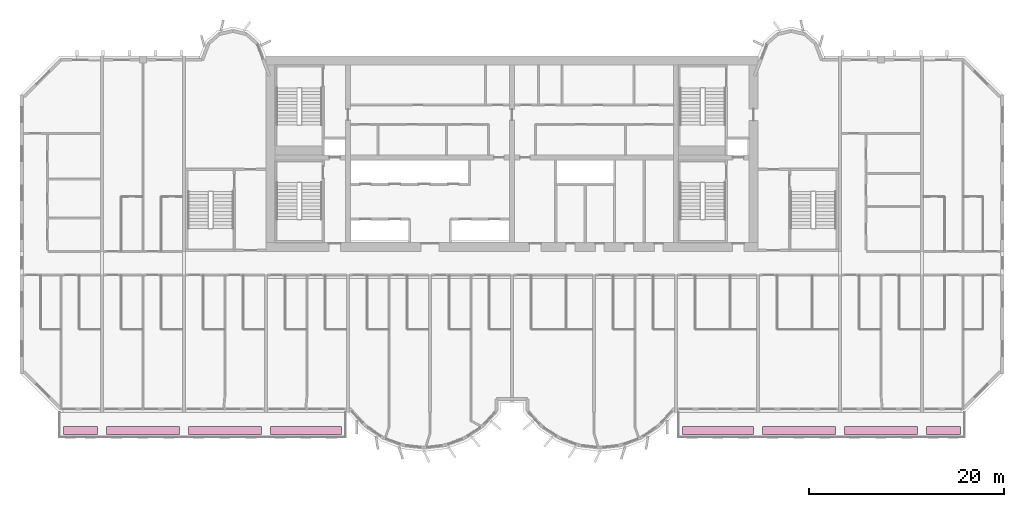
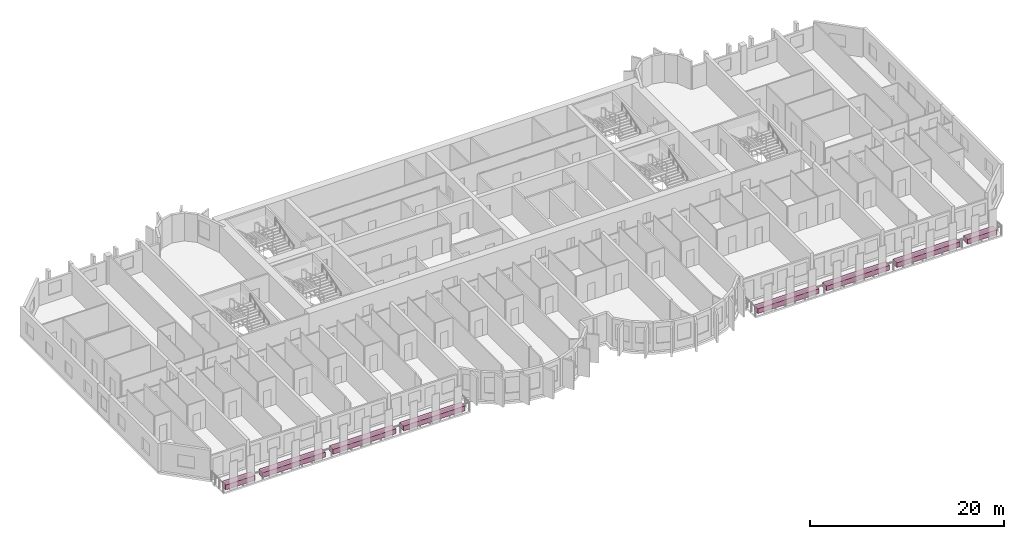
# One storey, part 15 of 15: 8 furniture elements.
"""IFC4 building model written with IfcOpenShell, lengths in metres."""

from ifc_helpers import new_model, si_unit, direction, frame, origin, origin_2d, place, context, subcontext, project, spatial, rectangle, extrude, source, transform, mapped, material, type_object, element, save


model = new_model("IFC4")

# Units and contexts
model_context = context("Model", 3, precision=1e-05, world=origin(), true_north=direction((0.0, 1.0)))
body_context = subcontext(model_context, "Body", "Model", "MODEL_VIEW")
ifc_project = project(units=[si_unit("LENGTHUNIT", "METRE"), si_unit("AREAUNIT", "SQUARE_METRE"), si_unit("VOLUMEUNIT", "CUBIC_METRE"), si_unit("PLANEANGLEUNIT", "RADIAN"), si_unit("MASSUNIT", "GRAM", prefix="KILO")], contexts=[model_context])

# Site, building, storey
site_placement = place(None, origin())
site = spatial("IfcSite", under=ifc_project, at=site_placement, CompositionType="ELEMENT")
building_placement = place(site_placement, origin())
building = spatial("IfcBuilding", under=site, at=building_placement, Name="Vanashikhar Sky Hotel", CompositionType="ELEMENT")
storey_placement = place(building_placement, frame((0.0, 0.0, 110.39990234375)))
storey = spatial("IfcBuildingStorey", under=building, at=storey_placement, Name="L26", CompositionType="ELEMENT", Elevation=110.39990234375)

# Furniture
ifc_material = material(Name="Planting soil and shrubs")
furniture_type = type_object("IfcFurnitureType", Name="Planter trough", AssemblyPlace="NOTDEFINED", PredefinedType="USERDEFINED", material=ifc_material)
shared_shape_1 = source(origin(), body_context, "Body", "SweptSolid", [
    extrude(rectangle(XDim=3.5, YDim=0.800048828125, at=origin_2d()), origin(), (0.0, 0.0, 1.0), 0.60009765625),
])
for number, where, z_axis, x_axis, name in (
    (1, (6.199951171875, 3.64990234375, -0.050048828125), (0.0, 0.0, 1.0), (1.0, 0.0, 0.0), "PLANTER with climbers"),
    (2, (94.60009765625, 3.64990234375, -0.050048828125), (0.0, 0.0, 1.0), (1.0, 0.0, 0.0), "PLANTER with climbers"),
):
    element("IfcFurniture", number, at=place(storey_placement, frame(where, z_axis=z_axis, x_axis=x_axis)), inside=storey, type_object=furniture_type, Name=name, ObjectType="PLANTER", PredefinedType="USERDEFINED", context=body_context, shape_type="MappedRepresentation", body=[
        mapped(shared_shape_1, transform((0.0, 0.0, 0.0), scale=1.0)),
    ])
shared_shape_2 = source(origin(), body_context, "Body", "SweptSolid", [
    extrude(rectangle(XDim=7.5, YDim=0.800048828125, at=origin_2d()), origin(), (0.0, 0.0, 1.0), 0.60009765625),
])
for number, where, z_axis, x_axis, name in (
    (3, (12.60009765625, 3.64990234375, -0.050048828125), (0.0, 0.0, 1.0), (1.0, 0.0, 0.0), "PLANTER with climbers"),
    (4, (21.0, 3.64990234375, -0.050048828125), (0.0, 0.0, 1.0), (1.0, 0.0, 0.0), "PLANTER with climbers"),
    (5, (79.800048828125, 3.64990234375, -0.050048828125), (0.0, 0.0, 1.0), (1.0, 0.0, 0.0), "PLANTER with climbers"),
    (6, (88.199951171875, 3.64990234375, -0.050048828125), (0.0, 0.0, 1.0), (1.0, 0.0, 0.0), "PLANTER with climbers"),
):
    element("IfcFurniture", number, at=place(storey_placement, frame(where, z_axis=z_axis, x_axis=x_axis)), inside=storey, type_object=furniture_type, Name=name, ObjectType="PLANTER", PredefinedType="USERDEFINED", context=body_context, shape_type="MappedRepresentation", body=[
        mapped(shared_shape_2, transform((0.0, 0.0, 0.0), scale=1.0)),
    ])
shared_shape_3 = source(origin(), body_context, "Body", "SweptSolid", [
    extrude(rectangle(XDim=7.300048828125, YDim=0.800048828125, at=origin_2d()), origin(), (0.0, 0.0, 1.0), 0.60009765625),
])
for number, where, z_axis, x_axis, name in (
    (7, (29.300048828125, 3.64990234375, -0.050048828125), (0.0, 0.0, 1.0), (1.0, 0.0, 0.0), "PLANTER with climbers"),
    (8, (71.5, 3.64990234375, -0.050048828125), (0.0, 0.0, 1.0), (1.0, 0.0, 0.0), "PLANTER with climbers"),
):
    element("IfcFurniture", number, at=place(storey_placement, frame(where, z_axis=z_axis, x_axis=x_axis)), inside=storey, type_object=furniture_type, Name=name, ObjectType="PLANTER", PredefinedType="USERDEFINED", context=body_context, shape_type="MappedRepresentation", body=[
        mapped(shared_shape_3, transform((0.0, 0.0, 0.0), scale=1.0)),
    ])

save(model, "model.ifc")
